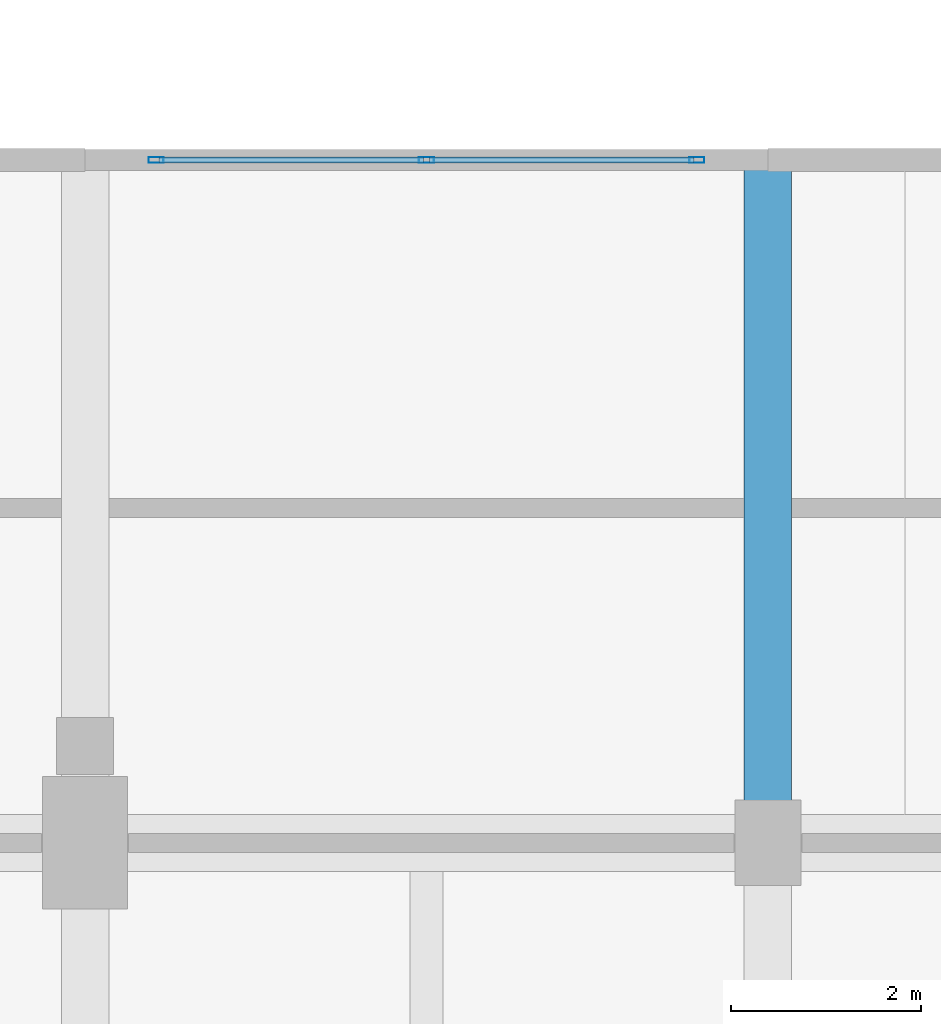
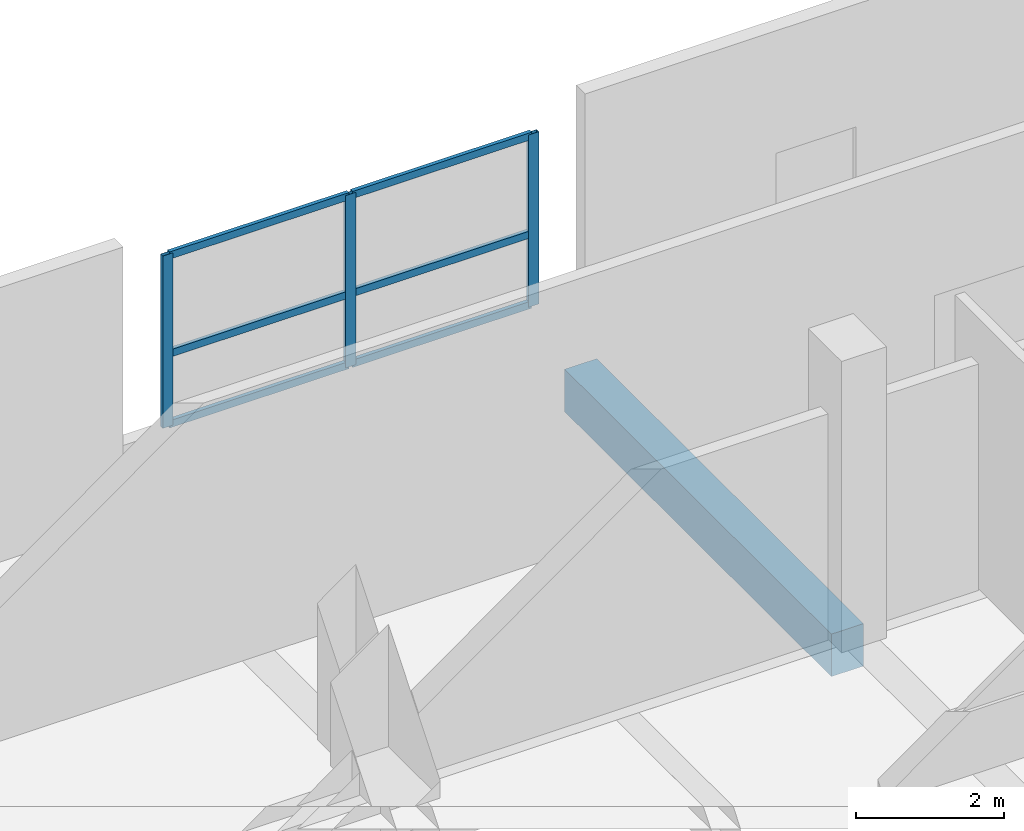
# One storey, part 90 of 181: 9 members, 1 beam, 1 element without a shape of its own.
"""IFC4 building model written with IfcOpenShell, lengths in metres."""

import ifcopenshell
import ifcopenshell.guid

model = None  # the IFC model being written
_history = None  # IfcOwnerHistory: only IFC2X3 demands one
_inside = {}  # id of a spatial element -> (the spatial element, [elements in it])
_under = {}  # id of a project, library or spatial element -> (it, [spatial elements below it])
_declared = {}  # id of a project -> (the project, [libraries it declares])
_typed = {}  # id of a type object -> (the type object, [elements of that type])
_made_of = {}  # id of a material, layer set ... -> (it, [elements and type objects made of it])


def new_model(schema):
    """Start an empty IFC model of exactly this schema.

    Asked for "IFC4X3", IfcOpenShell would pick the latest addendum, in which some entities
    have other attributes; the version numbers below select the first issue.
    IFC2X3 requires an IfcOwnerHistory on every rooted entity: one is made here for all.
    """
    global model, _history
    if schema == "IFC4X3":
        model = ifcopenshell.file(schema_version=(4, 3, 0, 0))
    else:
        model = ifcopenshell.file(schema=schema)
    _inside.clear()
    _under.clear()
    _declared.clear()
    _typed.clear()
    _made_of.clear()
    _history = None
    if model.schema == "IFC2X3":
        org = make("IfcOrganization", Name="unknown")
        user = make(
            "IfcPersonAndOrganization",
            ThePerson=make("IfcPerson", FamilyName="unknown"),
            TheOrganization=org,
        )
        app = make(
            "IfcApplication",
            ApplicationDeveloper=org,
            Version="unknown",
            ApplicationFullName="unknown",
            ApplicationIdentifier="unknown",
        )
        _history = make(
            "IfcOwnerHistory",
            OwningUser=user,
            OwningApplication=app,
            ChangeAction="ADDED",
            CreationDate=0,
        )
    return model


def make(cls, **values):
    """One entity of the class cls with the attributes given. An attribute that is None is left unset."""
    return model.create_entity(
        cls, **{name: value for name, value in values.items() if value is not None}
    )


def rooted(cls, **values):
    """An entity with a GlobalId (a new one), such as an element, a storey or a relation."""
    return make(cls, GlobalId=ifcopenshell.guid.new(), OwnerHistory=_history, **values)


def si_unit(unit_type, name, prefix=None):
    """IfcSIUnit, for example si_unit("LENGTHUNIT", "METRE", prefix="MILLI")."""
    return make("IfcSIUnit", UnitType=unit_type, Prefix=prefix, Name=name)


def assignment(units):
    """IfcUnitAssignment: the units of a project."""
    return None if units is None else make("IfcUnitAssignment", Units=units)


def point(xyz):
    """IfcCartesianPoint."""
    return None if xyz is None else make("IfcCartesianPoint", Coordinates=xyz)


def direction(xyz):
    """IfcDirection."""
    return None if xyz is None else make("IfcDirection", DirectionRatios=xyz)


def frame(location, z_axis=None, x_axis=None):
    """IfcAxis2Placement3D, a coordinate frame: its origin and axes. An axis left out is left unset."""
    return make(
        "IfcAxis2Placement3D",
        Location=point(location),
        Axis=direction(z_axis),
        RefDirection=direction(x_axis),
    )


def frame_2d(location, x_axis=None):
    """IfcAxis2Placement2D, a coordinate frame in the plane: its origin and x axis."""
    return make(
        "IfcAxis2Placement2D", Location=point(location), RefDirection=direction(x_axis)
    )


def origin():
    """The frame at (0, 0, 0) with its axes left unset."""
    return frame((0.0, 0.0, 0.0))


def origin_2d():
    """The frame at (0, 0) in the plane with its x axis left unset."""
    return frame_2d((0.0, 0.0))


def place(relative_to, where):
    """IfcLocalPlacement: puts the frame where relative to a parent placement (None: the world)."""
    return make(
        "IfcLocalPlacement", PlacementRelTo=relative_to, RelativePlacement=where
    )


def context(
    kind, dimensions, precision=None, world=None, true_north=None, identifier=None
):
    """IfcGeometricRepresentationContext, for example the 3D "Model" context."""
    return make(
        "IfcGeometricRepresentationContext",
        ContextIdentifier=identifier,
        ContextType=kind,
        CoordinateSpaceDimension=dimensions,
        Precision=precision,
        WorldCoordinateSystem=world,
        TrueNorth=true_north,
    )


def subcontext(parent, identifier, kind, view, scale=None):
    """IfcGeometricRepresentationSubContext, for example "Body" below "Model"."""
    return make(
        "IfcGeometricRepresentationSubContext",
        ContextIdentifier=identifier,
        ContextType=kind,
        ParentContext=parent,
        TargetScale=scale,
        TargetView=view,
    )


def project(units=None, contexts=None):
    """IfcProject with its units and contexts."""
    return rooted(
        "IfcProject",
        Name="project",
        RepresentationContexts=contexts,
        UnitsInContext=assignment(units),
    )


def spatial(cls, under=None, at=None, **own):
    """A site, building, storey or space (cls), placed at a placement, below another one or the project."""
    s = rooted(cls, ObjectPlacement=at, **own)
    if under is not None:
        _under.setdefault(under.id(), (under, []))[1].append(s)
    return s


def profile(cls, at=None, kind="AREA", **sizes):
    """A parametric profile (cls). Its sizes go by their IFC names, for example OverallWidth=200.0."""
    return make(cls, ProfileType=kind, Position=at, **sizes)


def rectangle(**sizes):
    """IfcRectangleProfileDef."""
    return profile("IfcRectangleProfileDef", **sizes)


def hollow_rectangle(**sizes):
    """IfcRectangleHollowProfileDef."""
    return profile("IfcRectangleHollowProfileDef", **sizes)


def extrude(swept, where, along, depth):
    """IfcExtrudedAreaSolid: the profile swept, set in the frame where, extruded along a direction by depth."""
    return make(
        "IfcExtrudedAreaSolid",
        SweptArea=swept,
        Position=where,
        ExtrudedDirection=direction(along),
        Depth=depth,
    )


def shape(context_of_items, identifier, shape_type, items):
    """IfcShapeRepresentation: the items that make up one representation, for example the "Body"."""
    return make(
        "IfcShapeRepresentation",
        ContextOfItems=context_of_items,
        RepresentationIdentifier=identifier,
        RepresentationType=shape_type,
        Items=items,
    )


def material(Name=None, Category=None):
    """IfcMaterial."""
    return make("IfcMaterial", Name=Name, Category=Category)


def layer(
    of_material, thickness, ventilated=None, Name=None, Category=None, Priority=None
):
    """IfcMaterialLayer: one layer of a wall or slab, of a material (None: an air gap)."""
    return make(
        "IfcMaterialLayer",
        Material=of_material,
        LayerThickness=thickness,
        IsVentilated=ventilated,
        Name=Name,
        Category=Category,
        Priority=Priority,
    )


def layer_set(layers, Name=None):
    """IfcMaterialLayerSet."""
    return make("IfcMaterialLayerSet", MaterialLayers=layers, LayerSetName=Name)


def material_profile(
    of_material, cross_section, Name=None, Category=None, Priority=None
):
    """IfcMaterialProfile: a cross section and its material."""
    return make(
        "IfcMaterialProfile",
        Name=Name,
        Material=of_material,
        Profile=cross_section,
        Priority=Priority,
        Category=Category,
    )


def profile_set(profiles, Name=None, composite=None):
    """IfcMaterialProfileSet."""
    return make(
        "IfcMaterialProfileSet",
        Name=Name,
        MaterialProfiles=profiles,
        CompositeProfile=composite,
    )


def made_of(thing, what):
    """Note that an element or type object is made of a material, layer set ...; save() writes the relation."""
    if what is not None:
        _made_of.setdefault(what.id(), (what, []))[1].append(thing)
    return thing


def type_object(cls, material=None, **own):
    """A type object (cls), such as IfcWallType, which elements share."""
    return made_of(rooted(cls, **own), material)


def element(
    cls,
    number,
    at=None,
    inside=None,
    cuts=None,
    type_object=None,
    material=None,
    context=None,
    identifier="Body",
    shape_type=None,
    held_by="IfcProductDefinitionShape",
    body=None,
    shapes=None,
    **own,
):
    """One element of the class cls, such as IfcWall. Its Tag is "e" and its number.

    at: its placement. inside: the storey or other place that contains it. cuts: it is an
    opening in that element (IfcRelVoidsElement). A single representation is given by context,
    identifier, shape_type and body (its items); several are given by shapes. held_by: the class
    of the entity that holds the representations. save() writes the other relations.
    """
    e = rooted(cls, Tag="e%d" % number, ObjectPlacement=at, **own)
    if body is not None:
        shapes = [shape(context, identifier, shape_type, body)]
    if shapes is not None:
        e.Representation = make(held_by, Representations=shapes)
    if inside is not None:
        _inside.setdefault(inside.id(), (inside, []))[1].append(e)
    if cuts is not None:
        rooted(
            "IfcRelVoidsElement", RelatingBuildingElement=cuts, RelatedOpeningElement=e
        )
    if type_object is not None:
        _typed.setdefault(type_object.id(), (type_object, []))[1].append(e)
    return made_of(e, material)


def aggregate(whole, parts):
    """IfcRelAggregates: a whole, such as a stair, and the parts it consists of."""
    return rooted("IfcRelAggregates", RelatingObject=whole, RelatedObjects=parts)


def save(model, path):
    """Write the relations noted so far, then the file.

    IfcRelAggregates (storeys below a building ...), IfcRelContainedInSpatialStructure (elements
    in a storey), IfcRelDefinesByType, IfcRelAssociatesMaterial and IfcRelDeclares: one each for
    every whole, place, type object, material and project.
    """
    for whole, parts in _under.values():
        aggregate(whole, parts)
    for where, things in _inside.values():
        rooted(
            "IfcRelContainedInSpatialStructure",
            RelatedElements=things,
            RelatingStructure=where,
        )
    for kind, things in _typed.values():
        rooted("IfcRelDefinesByType", RelatedObjects=things, RelatingType=kind)
    for what, things in _made_of.values():
        rooted("IfcRelAssociatesMaterial", RelatedObjects=things, RelatingMaterial=what)
    for by, libraries in _declared.values():
        rooted("IfcRelDeclares", RelatingContext=by, RelatedDefinitions=libraries)
    model.write(path)


model = new_model("IFC4")

# Units and contexts
model_context = context("Model", 3, precision=1e-05, world=origin(), true_north=direction((0.0, 1.0)))
body_context = subcontext(model_context, "Body", "Model", "MODEL_VIEW")
ifc_project = project(units=[si_unit("LENGTHUNIT", "METRE"), si_unit("AREAUNIT", "SQUARE_METRE"), si_unit("VOLUMEUNIT", "CUBIC_METRE"), si_unit("PLANEANGLEUNIT", "RADIAN"), si_unit("MASSUNIT", "GRAM", prefix="KILO")], contexts=[model_context])

# Site, building, storey
site_placement = place(None, origin())
site = spatial("IfcSite", under=ifc_project, at=site_placement, CompositionType="ELEMENT")
building_placement = place(site_placement, origin())
building = spatial("IfcBuilding", under=site, at=building_placement, Name="Seraya Terrace Polytechnic", CompositionType="ELEMENT")
storey_placement = place(building_placement, frame((0.0, 0.0, 4.800048828125)))
storey = spatial("IfcBuildingStorey", under=building, at=storey_placement, Name="L01", CompositionType="ELEMENT", Elevation=4.800048828125)

# Beam
ifc_material_1 = material(Name="Concrete C40/50", Category="concrete")
ifc_material_profile_1 = material_profile(ifc_material_1, rectangle(XDim=0.5, YDim=0.699951171875, at=origin_2d()), Name="RC 500x700")
ifc_profile_set_1 = profile_set([ifc_material_profile_1], Name="Concrete C40/50")
beam_type = type_object("IfcBeamType", Name="BM-07", PredefinedType="BEAM", material=ifc_profile_set_1)
beam_placement = place(storey_placement, frame((93.60009765625, 79.199951171875, -0.35009765625), z_axis=(0.0, 1.0, 0.0), x_axis=(-1.0, 0.0, 0.0)))
element("IfcBeam", 1, at=beam_placement, inside=storey, type_object=beam_type, Name="Beam BM-07 L01 Y (93.6, 79.2..86.4)", PredefinedType="BEAM", context=body_context, shape_type="SweptSolid", body=[
    extrude(rectangle(XDim=0.5, YDim=0.699951171875, at=origin_2d()), origin(), (0.0, 0.0, 1.0), 7.199951171875),
])

# Curtain wall, members
ifc_material_2 = material(Name="Anodised aluminium EN AW-6063 T6", Category="aluminium")
ifc_layer = layer(ifc_material_2, 0.179931640625, Name="CW-14")
ifc_layer_set = layer_set([ifc_layer], Name="Anodised aluminium EN AW-6063 T6")
curtain_wall_type = type_object("IfcCurtainWallType", Name="CW-14", PredefinedType="NOTDEFINED", material=ifc_layer_set)
curtain_wall_placement = place(storey_placement, origin())
curtain_wall = element("IfcCurtainWall", 2, at=curtain_wall_placement, inside=storey, type_object=curtain_wall_type, Name="Unitised curtain wall CW-14 (CW-L01-014)", PredefinedType="NOTDEFINED")
ifc_material_profile_2 = material_profile(ifc_material_2, hollow_rectangle(XDim=0.06005859375, YDim=0.159912109375, WallThickness=0.00341796875, at=origin_2d()), Name="RHS 160x60x3.5")
ifc_profile_set_2 = profile_set([ifc_material_profile_2], Name="Anodised aluminium EN AW-6063 T6")
member_type_1 = type_object("IfcMemberType", Name="CWM-02", PredefinedType="MULLION", material=ifc_profile_set_2)
member_1_placement = place(storey_placement, frame((87.14990234375, 86.39990234375, 1.239990234375), z_axis=(0.0, 0.0, 1.0), x_axis=(0.0, 1.0, 0.0)))
member_1 = element("IfcMember", 3, at=member_1_placement, type_object=member_type_1, Name="CW-14 mullion 1", PredefinedType="MULLION", context=body_context, shape_type="SweptSolid", body=[
    extrude(hollow_rectangle(XDim=0.06005859375, YDim=0.159912109375, WallThickness=0.00341796875, at=origin_2d()), origin(), (0.0, 0.0, 1.0), 2.83984375),
])
member_2_placement = place(storey_placement, frame((90.0, 86.39990234375, 1.239990234375), z_axis=(0.0, 0.0, 1.0), x_axis=(0.0, 1.0, 0.0)))
member_2 = element("IfcMember", 4, at=member_2_placement, type_object=member_type_1, Name="CW-14 mullion 2", PredefinedType="MULLION", context=body_context, shape_type="SweptSolid", body=[
    extrude(hollow_rectangle(XDim=0.06005859375, YDim=0.159912109375, WallThickness=0.00341796875, at=origin_2d()), origin(), (0.0, 0.0, 1.0), 2.83984375),
])
member_3_placement = place(storey_placement, frame((92.85009765625, 86.39990234375, 1.239990234375), z_axis=(0.0, 0.0, 1.0), x_axis=(0.0, 1.0, 0.0)))
member_3 = element("IfcMember", 5, at=member_3_placement, type_object=member_type_1, Name="CW-14 mullion 3", PredefinedType="MULLION", context=body_context, shape_type="SweptSolid", body=[
    extrude(hollow_rectangle(XDim=0.06005859375, YDim=0.159912109375, WallThickness=0.00341796875, at=origin_2d()), origin(), (0.0, 0.0, 1.0), 2.83984375),
])
ifc_material_profile_3 = material_profile(ifc_material_2, hollow_rectangle(XDim=0.06005859375, YDim=0.1201171875, WallThickness=0.003173828125, at=origin_2d()), Name="RHS 120x60x3.2")
ifc_profile_set_3 = profile_set([ifc_material_profile_3], Name="Anodised aluminium EN AW-6063 T6")
member_type_2 = type_object("IfcMemberType", Name="CWT-02", PredefinedType="USERDEFINED", material=ifc_profile_set_3)
member_4_placement = place(storey_placement, frame((87.179931640625, 86.39990234375, 1.27001953125), z_axis=(1.0, 0.0, 0.0), x_axis=(0.0, 1.0, 0.0)))
member_4 = element("IfcMember", 6, at=member_4_placement, type_object=member_type_2, Name="CW-14 transom 1.1", ObjectType="TRANSOM", PredefinedType="USERDEFINED", context=body_context, shape_type="SweptSolid", body=[
    extrude(hollow_rectangle(XDim=0.06005859375, YDim=0.1201171875, WallThickness=0.003173828125, at=origin_2d()), origin(), (0.0, 0.0, 1.0), 2.7900390625),
])
member_5_placement = place(storey_placement, frame((87.179931640625, 86.39990234375, 2.432861328125), z_axis=(1.0, 0.0, 0.0), x_axis=(0.0, 1.0, 0.0)))
member_5 = element("IfcMember", 7, at=member_5_placement, type_object=member_type_2, Name="CW-14 transom 1.2", ObjectType="TRANSOM", PredefinedType="USERDEFINED", context=body_context, shape_type="SweptSolid", body=[
    extrude(hollow_rectangle(XDim=0.06005859375, YDim=0.1201171875, WallThickness=0.003173828125, at=origin_2d()), origin(), (0.0, 0.0, 1.0), 2.7900390625),
])
member_6_placement = place(storey_placement, frame((87.179931640625, 86.39990234375, 4.050048828125), z_axis=(1.0, 0.0, 0.0), x_axis=(0.0, 1.0, 0.0)))
member_6 = element("IfcMember", 8, at=member_6_placement, type_object=member_type_2, Name="CW-14 transom 1.3", ObjectType="TRANSOM", PredefinedType="USERDEFINED", context=body_context, shape_type="SweptSolid", body=[
    extrude(hollow_rectangle(XDim=0.06005859375, YDim=0.1201171875, WallThickness=0.003173828125, at=origin_2d()), origin(), (0.0, 0.0, 1.0), 2.7900390625),
])
member_7_placement = place(storey_placement, frame((90.030029296875, 86.39990234375, 1.27001953125), z_axis=(1.0, 0.0, 0.0), x_axis=(0.0, 1.0, 0.0)))
member_7 = element("IfcMember", 9, at=member_7_placement, type_object=member_type_2, Name="CW-14 transom 2.1", ObjectType="TRANSOM", PredefinedType="USERDEFINED", context=body_context, shape_type="SweptSolid", body=[
    extrude(hollow_rectangle(XDim=0.06005859375, YDim=0.1201171875, WallThickness=0.003173828125, at=origin_2d()), origin(), (0.0, 0.0, 1.0), 2.7900390625),
])
member_8_placement = place(storey_placement, frame((90.030029296875, 86.39990234375, 2.432861328125), z_axis=(1.0, 0.0, 0.0), x_axis=(0.0, 1.0, 0.0)))
member_8 = element("IfcMember", 10, at=member_8_placement, type_object=member_type_2, Name="CW-14 transom 2.2", ObjectType="TRANSOM", PredefinedType="USERDEFINED", context=body_context, shape_type="SweptSolid", body=[
    extrude(hollow_rectangle(XDim=0.06005859375, YDim=0.1201171875, WallThickness=0.003173828125, at=origin_2d()), origin(), (0.0, 0.0, 1.0), 2.7900390625),
])
member_9_placement = place(storey_placement, frame((90.030029296875, 86.39990234375, 4.050048828125), z_axis=(1.0, 0.0, 0.0), x_axis=(0.0, 1.0, 0.0)))
member_9 = element("IfcMember", 11, at=member_9_placement, type_object=member_type_2, Name="CW-14 transom 2.3", ObjectType="TRANSOM", PredefinedType="USERDEFINED", context=body_context, shape_type="SweptSolid", body=[
    extrude(hollow_rectangle(XDim=0.06005859375, YDim=0.1201171875, WallThickness=0.003173828125, at=origin_2d()), origin(), (0.0, 0.0, 1.0), 2.7900390625),
])
aggregate(curtain_wall, [member_1, member_2, member_3, member_4, member_5, member_6, member_7, member_8, member_9])

save(model, "model.ifc")
